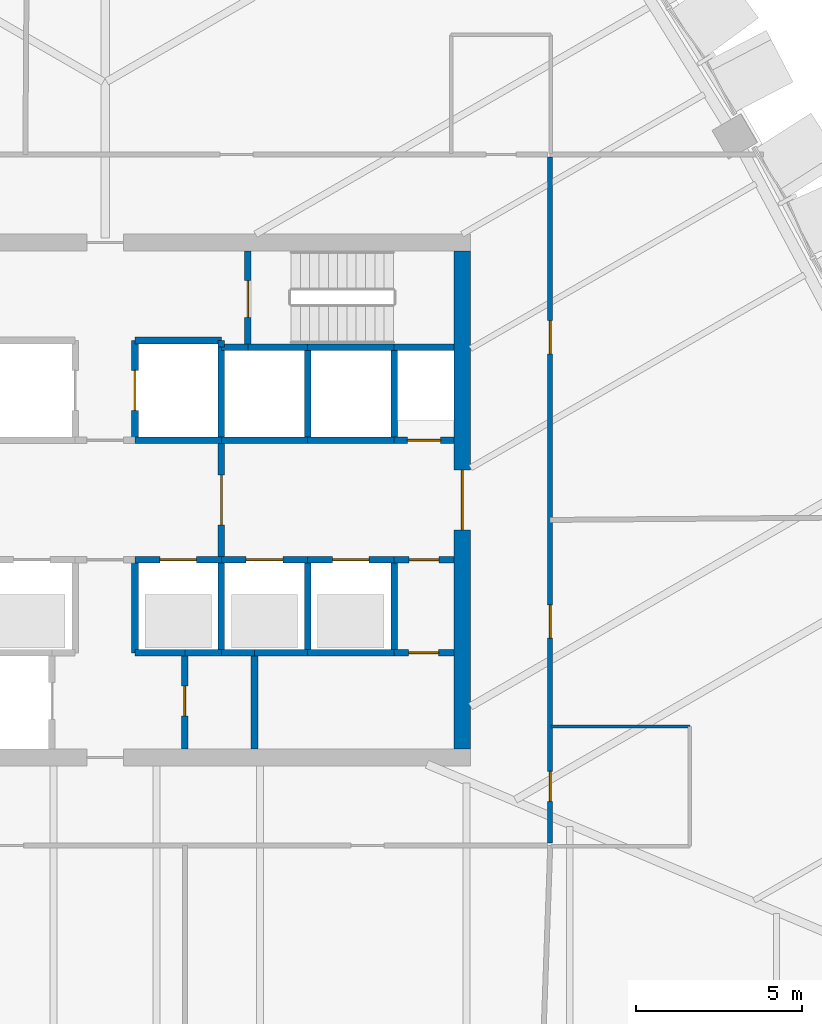
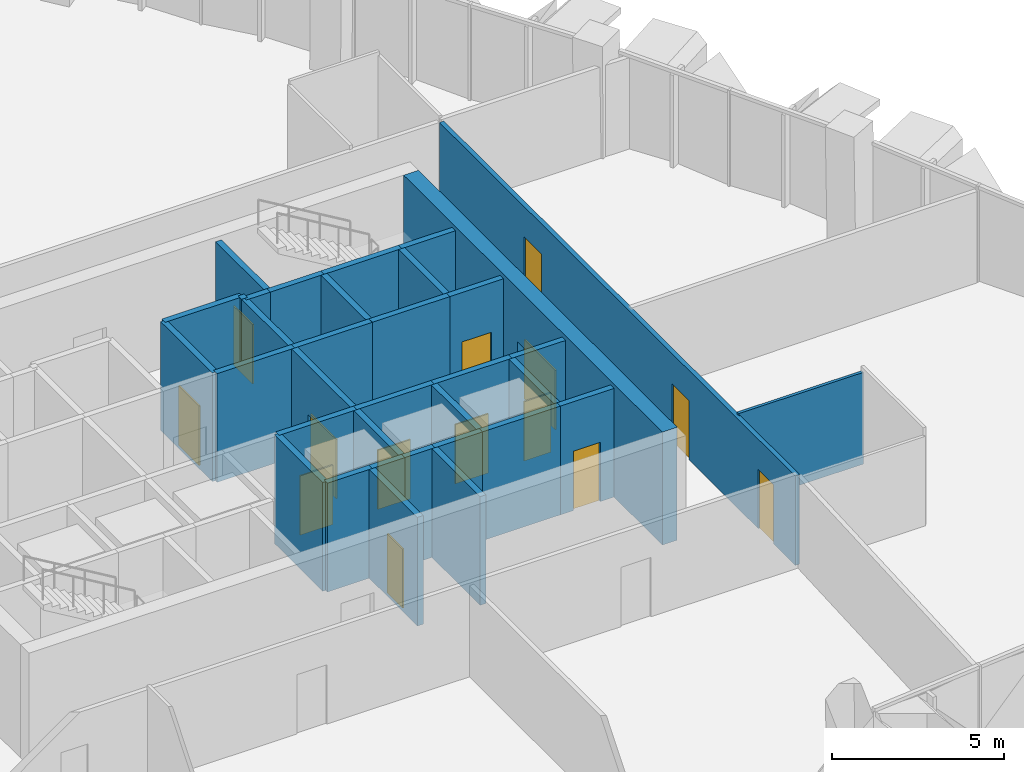
# One storey, part 13 of 18: 35 walls, 14 doors, 14 openings.
"""IFC4 building model written with IfcOpenShell, lengths in metres."""

from ifc_helpers import new_model, si_unit, direction, frame, frame_2d, origin, place, context, subcontext, project, spatial, rectangle, extrude, material, layer, layer_set, type_object, element, fill, save


model = new_model("IFC4")

# Units and contexts
model_context = context("Model", 3, precision=1e-05, world=origin(), true_north=direction((0.0, 1.0)))
body_context = subcontext(model_context, "Body", "Model", "MODEL_VIEW")
ifc_project = project(units=[si_unit("LENGTHUNIT", "METRE"), si_unit("AREAUNIT", "SQUARE_METRE"), si_unit("VOLUMEUNIT", "CUBIC_METRE"), si_unit("PLANEANGLEUNIT", "RADIAN"), si_unit("MASSUNIT", "GRAM", prefix="KILO")], contexts=[model_context])

# Site, building, storey
site_placement = place(None, origin())
site = spatial("IfcSite", under=ifc_project, at=site_placement, CompositionType="ELEMENT")
building_placement = place(site_placement, origin())
building = spatial("IfcBuilding", under=site, at=building_placement, Name="Sierra Prisma Convention Tower", CompositionType="ELEMENT")
storey_placement = place(building_placement, frame((0.0, 0.0, 133.800048828125)))
storey = spatial("IfcBuildingStorey", under=building, at=storey_placement, Name="L28", CompositionType="ELEMENT", Elevation=133.800048828125)

# Wall
ifc_material_1 = material(Name="Gypsum board partition", Category="gypsum")
ifc_layer_1 = layer(ifc_material_1, 0.10009765625)
ifc_layer_set_1 = layer_set([ifc_layer_1], Name="Bathroom partition 100")
wall_type_1 = type_object("IfcWallType", Name="Bathroom partition 100", PredefinedType="PARTITIONING", material=ifc_layer_set_1)
wall_1_placement = place(storey_placement, frame((13.429931640625, -6.820068359375, 0.0), z_axis=(0.0, 0.0, 1.0), x_axis=(1.0, 0.0, 0.0)))
element("IfcWall", 1, at=wall_1_placement, inside=storey, type_object=wall_type_1, Name="Partition L28 bath 10", PredefinedType="PARTITIONING", context=body_context, shape_type="SweptSolid", body=[
    extrude(rectangle(XDim=4.170166015625, YDim=0.10009765625, at=frame_2d((2.0849609375, 0.0))), origin(), (0.0, 0.0, 1.0), 3.2470703125),
])

# Wall, opening, door
ifc_material_2 = material(Name="Concrete C30/37", Category="concrete")
ifc_layer_2 = layer(ifc_material_2, 0.199951171875)
ifc_layer_set_2 = layer_set([ifc_layer_2], Name="Core wall RC 200 C30/37")
wall_type_2 = type_object("IfcWallType", Name="Core wall RC 200 C30/37", PredefinedType="SOLIDWALL", material=ifc_layer_set_2)
wall_2_placement = place(storey_placement, frame((0.89990234375, -1.800048828125, 0.0), z_axis=(0.0, 0.0, 1.0), x_axis=(1.0, 0.0, 0.0)))
wall_2 = element("IfcWall", 2, at=wall_2_placement, inside=storey, type_object=wall_type_2, Name="Core wall L28 35", PredefinedType="SOLIDWALL", context=body_context, shape_type="SweptSolid", body=[
    extrude(rectangle(XDim=2.60009765625, YDim=0.199951171875, at=frame_2d((1.300048828125, 0.0))), origin(), (0.0, 0.0, 1.0), 3.849853515625),
])
opening_1_placement = place(wall_2_placement, frame((0.75, 0.0, 0.0)))
opening_1 = element("IfcOpeningElement", 3, at=opening_1_placement, cuts=wall_2, Name="Opening L28-D004", PredefinedType="OPENING", context=body_context, shape_type="SweptSolid", body=[
    extrude(rectangle(XDim=1.10009765625, YDim=2.10009765625, at=frame_2d((0.550048828125, 1.050048828125))), frame((0.0, 0.10009765625, 0.0), z_axis=(0.0, -1.0, 0.0), x_axis=(1.0, 0.0, 0.0)), (0.0, 0.0, 1.0), 0.199951171875),
])
ifc_material_3 = material(Name="Steel fire door leaf", Category="steel")
door_type_1 = type_object("IfcDoorType", Name="Door 1100x2100 EI 90 sliding lift landing", OperationType="SLIDING_TO_LEFT", PredefinedType="DOOR", material=ifc_material_3)
door_1_placement = place(opening_1_placement, origin())
door_1 = element("IfcDoor", 4, at=door_1_placement, inside=storey, type_object=door_type_1, Name="Door L28 17", OperationType="SLIDING_TO_LEFT", OverallHeight=2.10009765625, OverallWidth=1.10009765625, PredefinedType="DOOR", context=body_context, shape_type="SweptSolid", body=[
    extrude(rectangle(XDim=1.10009765625, YDim=2.10009765625, at=frame_2d((0.550048828125, 1.050048828125))), frame((0.0, 0.02490234375, 0.0), z_axis=(0.0, -1.0, 0.0), x_axis=(1.0, 0.0, 0.0)), (0.0, 0.0, 1.0), 0.050048828125),
])
fill(opening_1, door_1)

# Walls
wall_3_placement = place(storey_placement, frame((0.89990234375, -1.800048828125, 0.0), z_axis=(0.0, 0.0, 1.0), x_axis=(0.0, -1.0, 0.0)))
element("IfcWall", 5, at=wall_3_placement, inside=storey, type_object=wall_type_2, Name="Core wall L28 36", PredefinedType="SOLIDWALL", context=body_context, shape_type="SweptSolid", body=[
    extrude(rectangle(XDim=2.800048828125, YDim=0.199951171875, at=frame_2d((1.39990234375, 0.0))), origin(), (0.0, 0.0, 1.0), 3.849853515625),
])
wall_4_placement = place(storey_placement, frame((0.89990234375, -4.60009765625, 0.0), z_axis=(0.0, 0.0, 1.0), x_axis=(1.0, 0.0, 0.0)))
element("IfcWall", 6, at=wall_4_placement, inside=storey, type_object=wall_type_2, Name="Core wall L28 37", PredefinedType="SOLIDWALL", context=body_context, shape_type="SweptSolid", body=[
    extrude(rectangle(XDim=1.5, YDim=0.199951171875, at=frame_2d((0.75, 0.0))), origin(), (0.0, 0.0, 1.0), 3.849853515625),
])
wall_5_placement = place(storey_placement, frame((3.5, 1.800048828125, 0.0), z_axis=(0.0, 0.0, 1.0), x_axis=(-1.0, 0.0, 0.0)))
element("IfcWall", 7, at=wall_5_placement, inside=storey, type_object=wall_type_2, Name="Core wall L28 38", PredefinedType="SOLIDWALL", context=body_context, shape_type="SweptSolid", body=[
    extrude(rectangle(XDim=2.60009765625, YDim=0.199951171875, at=frame_2d((1.300048828125, 0.0))), origin(), (0.0, 0.0, 1.0), 3.849853515625),
])
wall_6_placement = place(storey_placement, frame((3.5, 4.60009765625, 0.0), z_axis=(0.0, 0.0, 1.0), x_axis=(0.0, 1.0, 0.0)))
element("IfcWall", 8, at=wall_6_placement, inside=storey, type_object=wall_type_2, Name="Core wall L28 39", PredefinedType="SOLIDWALL", context=body_context, shape_type="SweptSolid", body=[
    extrude(rectangle(XDim=0.199951171875, YDim=0.199951171875, at=frame_2d((0.10009765625, 0.0))), origin(), (0.0, 0.0, 1.0), 3.849853515625),
])
wall_7_placement = place(storey_placement, frame((3.5, 4.800048828125, 0.0), z_axis=(0.0, 0.0, 1.0), x_axis=(-1.0, 0.0, 0.0)))
element("IfcWall", 9, at=wall_7_placement, inside=storey, type_object=wall_type_2, Name="Core wall L28 40", PredefinedType="SOLIDWALL", context=body_context, shape_type="SweptSolid", body=[
    extrude(rectangle(XDim=2.60009765625, YDim=0.199951171875, at=frame_2d((1.300048828125, 0.0))), origin(), (0.0, 0.0, 1.0), 3.849853515625),
])

# Wall, opening, door
wall_8_placement = place(storey_placement, frame((0.89990234375, 4.800048828125, 0.0), z_axis=(0.0, 0.0, 1.0), x_axis=(0.0, -1.0, 0.0)))
wall_8 = element("IfcWall", 10, at=wall_8_placement, inside=storey, type_object=wall_type_2, Name="Core wall L28 41", PredefinedType="SOLIDWALL", context=body_context, shape_type="SweptSolid", body=[
    extrude(rectangle(XDim=3.0, YDim=0.199951171875, at=frame_2d((1.5, 0.0))), origin(), (0.0, 0.0, 1.0), 3.849853515625),
])
opening_2_placement = place(wall_8_placement, frame((0.89990234375, 0.0, 0.0)))
opening_2 = element("IfcOpeningElement", 11, at=opening_2_placement, cuts=wall_8, Name="Opening L28-D008", PredefinedType="OPENING", context=body_context, shape_type="SweptSolid", body=[
    extrude(rectangle(XDim=1.199951171875, YDim=2.10009765625, at=frame_2d((0.60009765625, 1.050048828125))), frame((0.0, 0.10009765625, 0.0), z_axis=(0.0, -1.0, 0.0), x_axis=(1.0, 0.0, 0.0)), (0.0, 0.0, 1.0), 0.199951171875),
])
ifc_material_4 = material(Name="Steel fire door leaf", Category="steel")
door_type_2 = type_object("IfcDoorType", Name="Door 1200x2100 EI 90 sliding lift landing", OperationType="SLIDING_TO_LEFT", PredefinedType="DOOR", material=ifc_material_4)
door_2_placement = place(opening_2_placement, origin())
door_2 = element("IfcDoor", 12, at=door_2_placement, inside=storey, type_object=door_type_2, Name="Door L28 21", OperationType="SLIDING_TO_LEFT", OverallHeight=2.10009765625, OverallWidth=1.199951171875, PredefinedType="DOOR", context=body_context, shape_type="SweptSolid", body=[
    extrude(rectangle(XDim=1.199951171875, YDim=2.10009765625, at=frame_2d((0.60009765625, 1.050048828125))), frame((0.0, 0.02490234375, 0.0), z_axis=(0.0, -1.0, 0.0), x_axis=(1.0, 0.0, 0.0)), (0.0, 0.0, 1.0), 0.050048828125),
])
fill(opening_2, door_2)

wall_9_placement = place(storey_placement, frame((2.39990234375, -4.60009765625, 0.0), z_axis=(0.0, 0.0, 1.0), x_axis=(0.0, -1.0, 0.0)))
wall_9 = element("IfcWall", 13, at=wall_9_placement, inside=storey, type_object=wall_type_2, Name="Core wall L28 42", PredefinedType="SOLIDWALL", context=body_context, shape_type="SweptSolid", body=[
    extrude(rectangle(XDim=2.89990234375, YDim=0.199951171875, at=frame_2d((1.449951171875, 0.0))), origin(), (0.0, 0.0, 1.0), 3.849853515625),
])
opening_3_placement = place(wall_9_placement, frame((1.0, 0.0, 0.0)))
opening_3 = element("IfcOpeningElement", 14, at=opening_3_placement, cuts=wall_9, Name="Opening L28-D022", PredefinedType="OPENING", context=body_context, shape_type="SweptSolid", body=[
    extrude(rectangle(XDim=0.89990234375, YDim=2.10009765625, at=frame_2d((0.449951171875, 1.050048828125))), frame((0.0, 0.10009765625, 0.0), z_axis=(0.0, -1.0, 0.0), x_axis=(1.0, 0.0, 0.0)), (0.0, 0.0, 1.0), 0.199951171875),
])
ifc_material_5 = material(Name="Steel fire door leaf", Category="steel")
door_type_3 = type_object("IfcDoorType", Name="Door 900x2100 FD30S", OperationType="SINGLE_SWING_LEFT", PredefinedType="DOOR", material=ifc_material_5)
door_3_placement = place(opening_3_placement, origin())
door_3 = element("IfcDoor", 15, at=door_3_placement, inside=storey, type_object=door_type_3, Name="Door L28 35", OperationType="SINGLE_SWING_RIGHT", OverallHeight=2.10009765625, OverallWidth=0.89990234375, PredefinedType="DOOR", context=body_context, shape_type="SweptSolid", body=[
    extrude(rectangle(XDim=0.89990234375, YDim=2.10009765625, at=frame_2d((0.449951171875, 1.050048828125))), frame((0.0, 0.02490234375, 0.0), z_axis=(0.0, -1.0, 0.0), x_axis=(1.0, 0.0, 0.0)), (0.0, 0.0, 1.0), 0.050048828125),
])
fill(opening_3, door_3)

# Walls
wall_10_placement = place(storey_placement, frame((3.5, -4.60009765625, 0.0), z_axis=(0.0, 0.0, 1.0), x_axis=(-1.0, 0.0, 0.0)))
element("IfcWall", 16, at=wall_10_placement, inside=storey, type_object=wall_type_2, Name="Core wall L28 43", PredefinedType="SOLIDWALL", context=body_context, shape_type="SweptSolid", body=[
    extrude(rectangle(XDim=1.10009765625, YDim=0.199951171875, at=frame_2d((0.550048828125, 0.0))), origin(), (0.0, 0.0, 1.0), 3.849853515625),
])
wall_11_placement = place(storey_placement, frame((4.5, -4.60009765625, 0.0), z_axis=(0.0, 0.0, 1.0), x_axis=(-1.0, 0.0, 0.0)))
element("IfcWall", 17, at=wall_11_placement, inside=storey, type_object=wall_type_2, Name="Core wall L28 44", PredefinedType="SOLIDWALL", context=body_context, shape_type="SweptSolid", body=[
    extrude(rectangle(XDim=1.0, YDim=0.199951171875, at=frame_2d((0.5, 0.0))), origin(), (0.0, 0.0, 1.0), 3.849853515625),
])
wall_12_placement = place(storey_placement, frame((3.5, -4.60009765625, 0.0), z_axis=(0.0, 0.0, 1.0), x_axis=(0.0, 1.0, 0.0)))
element("IfcWall", 18, at=wall_12_placement, inside=storey, type_object=wall_type_2, Name="Core wall L28 45", PredefinedType="SOLIDWALL", context=body_context, shape_type="SweptSolid", body=[
    extrude(rectangle(XDim=2.800048828125, YDim=0.199951171875, at=frame_2d((1.39990234375, 0.0))), origin(), (0.0, 0.0, 1.0), 3.849853515625),
])

# Wall, opening, door
wall_13_placement = place(storey_placement, frame((3.5, -1.800048828125, 0.0), z_axis=(0.0, 0.0, 1.0), x_axis=(1.0, 0.0, 0.0)))
wall_13 = element("IfcWall", 19, at=wall_13_placement, inside=storey, type_object=wall_type_2, Name="Core wall L28 46", PredefinedType="SOLIDWALL", context=body_context, shape_type="SweptSolid", body=[
    extrude(rectangle(XDim=2.60009765625, YDim=0.199951171875, at=frame_2d((1.300048828125, 0.0))), origin(), (0.0, 0.0, 1.0), 3.849853515625),
])
opening_4_placement = place(wall_13_placement, frame((0.75, 0.0, 0.0)))
opening_4 = element("IfcOpeningElement", 20, at=opening_4_placement, cuts=wall_13, Name="Opening L28-D005", PredefinedType="OPENING", context=body_context, shape_type="SweptSolid", body=[
    extrude(rectangle(XDim=1.10009765625, YDim=2.10009765625, at=frame_2d((0.550048828125, 1.050048828125))), frame((0.0, 0.10009765625, 0.0), z_axis=(0.0, -1.0, 0.0), x_axis=(1.0, 0.0, 0.0)), (0.0, 0.0, 1.0), 0.199951171875),
])
door_4_placement = place(opening_4_placement, origin())
door_4 = element("IfcDoor", 21, at=door_4_placement, inside=storey, type_object=door_type_1, Name="Door L28 18", OperationType="SLIDING_TO_LEFT", OverallHeight=2.10009765625, OverallWidth=1.10009765625, PredefinedType="DOOR", context=body_context, shape_type="SweptSolid", body=[
    extrude(rectangle(XDim=1.10009765625, YDim=2.10009765625, at=frame_2d((0.550048828125, 1.050048828125))), frame((0.0, 0.02490234375, 0.0), z_axis=(0.0, -1.0, 0.0), x_axis=(1.0, 0.0, 0.0)), (0.0, 0.0, 1.0), 0.050048828125),
])
fill(opening_4, door_4)

wall_14_placement = place(storey_placement, frame((3.5, -1.800048828125, 0.0), z_axis=(0.0, 0.0, 1.0), x_axis=(0.0, 1.0, 0.0)))
wall_14 = element("IfcWall", 22, at=wall_14_placement, inside=storey, type_object=wall_type_2, Name="Core wall L28 47", PredefinedType="SOLIDWALL", context=body_context, shape_type="SweptSolid", body=[
    extrude(rectangle(XDim=3.60009765625, YDim=0.199951171875, at=frame_2d((1.800048828125, 0.0))), origin(), (0.0, 0.0, 1.0), 3.849853515625),
])
opening_5_placement = place(wall_14_placement, frame((1.050048828125, 0.0, 0.0)))
opening_5 = element("IfcOpeningElement", 23, at=opening_5_placement, cuts=wall_14, Name="Opening L28-D011", PredefinedType="OPENING", context=body_context, shape_type="SweptSolid", body=[
    extrude(rectangle(XDim=1.5, YDim=2.10009765625, at=frame_2d((0.75, 1.050048828125))), frame((0.0, 0.10009765625, 0.0), z_axis=(0.0, -1.0, 0.0), x_axis=(1.0, 0.0, 0.0)), (0.0, 0.0, 1.0), 0.199951171875),
])
ifc_material_6 = material(Name="Steel fire door leaf", Category="steel")
door_type_4 = type_object("IfcDoorType", Name="Door 1500x2100 FD30S", OperationType="DOUBLE_DOOR_SINGLE_SWING", PredefinedType="DOOR", material=ifc_material_6)
door_5_placement = place(opening_5_placement, origin())
door_5 = element("IfcDoor", 24, at=door_5_placement, inside=storey, type_object=door_type_4, Name="Door L28 24", OperationType="DOUBLE_DOOR_SINGLE_SWING", OverallHeight=2.10009765625, OverallWidth=1.5, PredefinedType="DOOR", context=body_context, shape_type="SweptSolid", body=[
    extrude(rectangle(XDim=1.5, YDim=2.10009765625, at=frame_2d((0.75, 1.050048828125))), frame((0.0, 0.02490234375, 0.0), z_axis=(0.0, -1.0, 0.0), x_axis=(1.0, 0.0, 0.0)), (0.0, 0.0, 1.0), 0.050048828125),
])
fill(opening_5, door_5)

# Walls
wall_15_placement = place(storey_placement, frame((6.10009765625, 1.800048828125, 0.0), z_axis=(0.0, 0.0, 1.0), x_axis=(-1.0, 0.0, 0.0)))
element("IfcWall", 25, at=wall_15_placement, inside=storey, type_object=wall_type_2, Name="Core wall L28 48", PredefinedType="SOLIDWALL", context=body_context, shape_type="SweptSolid", body=[
    extrude(rectangle(XDim=2.60009765625, YDim=0.199951171875, at=frame_2d((1.300048828125, 0.0))), origin(), (0.0, 0.0, 1.0), 3.849853515625),
])
wall_16_placement = place(storey_placement, frame((3.5, 1.800048828125, 0.0), z_axis=(0.0, 0.0, 1.0), x_axis=(0.0, 1.0, 0.0)))
element("IfcWall", 26, at=wall_16_placement, inside=storey, type_object=wall_type_2, Name="Core wall L28 49", PredefinedType="SOLIDWALL", context=body_context, shape_type="SweptSolid", body=[
    extrude(rectangle(XDim=2.800048828125, YDim=0.199951171875, at=frame_2d((1.39990234375, 0.0))), origin(), (0.0, 0.0, 1.0), 3.849853515625),
])
wall_17_placement = place(storey_placement, frame((4.300048828125, 4.60009765625, 0.0), z_axis=(0.0, 0.0, 1.0), x_axis=(-1.0, 0.0, 0.0)))
element("IfcWall", 27, at=wall_17_placement, inside=storey, type_object=wall_type_2, Name="Core wall L28 50", PredefinedType="SOLIDWALL", context=body_context, shape_type="SweptSolid", body=[
    extrude(rectangle(XDim=0.800048828125, YDim=0.199951171875, at=frame_2d((0.39990234375, 0.0))), origin(), (0.0, 0.0, 1.0), 3.849853515625),
])
wall_18_placement = place(storey_placement, frame((6.10009765625, 4.60009765625, 0.0), z_axis=(0.0, 0.0, 1.0), x_axis=(-1.0, 0.0, 0.0)))
element("IfcWall", 28, at=wall_18_placement, inside=storey, type_object=wall_type_2, Name="Core wall L28 51", PredefinedType="SOLIDWALL", context=body_context, shape_type="SweptSolid", body=[
    extrude(rectangle(XDim=1.800048828125, YDim=0.199951171875, at=frame_2d((0.89990234375, 0.0))), origin(), (0.0, 0.0, 1.0), 3.849853515625),
])

# Wall, opening, door
wall_19_placement = place(storey_placement, frame((4.300048828125, 7.5, 0.0), z_axis=(0.0, 0.0, 1.0), x_axis=(0.0, -1.0, 0.0)))
wall_19 = element("IfcWall", 29, at=wall_19_placement, inside=storey, type_object=wall_type_2, Name="Core wall L28 52", PredefinedType="SOLIDWALL", context=body_context, shape_type="SweptSolid", body=[
    extrude(rectangle(XDim=2.89990234375, YDim=0.199951171875, at=frame_2d((1.449951171875, 0.0))), origin(), (0.0, 0.0, 1.0), 3.849853515625),
])
opening_6_placement = place(wall_19_placement, frame((0.89990234375, 0.0, 0.0)))
opening_6 = element("IfcOpeningElement", 30, at=opening_6_placement, cuts=wall_19, Name="Opening L28-D019", PredefinedType="OPENING", context=body_context, shape_type="SweptSolid", body=[
    extrude(rectangle(XDim=1.10009765625, YDim=2.10009765625, at=frame_2d((0.550048828125, 1.050048828125))), frame((0.0, 0.10009765625, 0.0), z_axis=(0.0, -1.0, 0.0), x_axis=(1.0, 0.0, 0.0)), (0.0, 0.0, 1.0), 0.199951171875),
])
ifc_material_7 = material(Name="Steel fire door leaf", Category="steel")
door_type_5 = type_object("IfcDoorType", Name="Door 1100x2100 FD90S", OperationType="SINGLE_SWING_LEFT", PredefinedType="DOOR", material=ifc_material_7)
door_6_placement = place(opening_6_placement, origin())
door_6 = element("IfcDoor", 31, at=door_6_placement, inside=storey, type_object=door_type_5, Name="Door L28 32", OperationType="SINGLE_SWING_RIGHT", OverallHeight=2.10009765625, OverallWidth=1.10009765625, PredefinedType="DOOR", context=body_context, shape_type="SweptSolid", body=[
    extrude(rectangle(XDim=1.10009765625, YDim=2.10009765625, at=frame_2d((0.550048828125, 1.050048828125))), frame((0.0, 0.02490234375, 0.0), z_axis=(0.0, -1.0, 0.0), x_axis=(1.0, 0.0, 0.0)), (0.0, 0.0, 1.0), 0.050048828125),
])
fill(opening_6, door_6)

# Walls
wall_20_placement = place(storey_placement, frame((4.5, -4.60009765625, 0.0), z_axis=(0.0, 0.0, 1.0), x_axis=(0.0, -1.0, 0.0)))
element("IfcWall", 32, at=wall_20_placement, inside=storey, type_object=wall_type_2, Name="Core wall L28 53", PredefinedType="SOLIDWALL", context=body_context, shape_type="SweptSolid", body=[
    extrude(rectangle(XDim=2.89990234375, YDim=0.199951171875, at=frame_2d((1.449951171875, 0.0))), origin(), (0.0, 0.0, 1.0), 3.849853515625),
])
wall_21_placement = place(storey_placement, frame((6.10009765625, -4.60009765625, 0.0), z_axis=(0.0, 0.0, 1.0), x_axis=(-1.0, 0.0, 0.0)))
element("IfcWall", 33, at=wall_21_placement, inside=storey, type_object=wall_type_2, Name="Core wall L28 54", PredefinedType="SOLIDWALL", context=body_context, shape_type="SweptSolid", body=[
    extrude(rectangle(XDim=1.60009765625, YDim=0.199951171875, at=frame_2d((0.800048828125, 0.0))), origin(), (0.0, 0.0, 1.0), 3.849853515625),
])
wall_22_placement = place(storey_placement, frame((8.699951171875, -4.60009765625, 0.0), z_axis=(0.0, 0.0, 1.0), x_axis=(-1.0, 0.0, 0.0)))
element("IfcWall", 34, at=wall_22_placement, inside=storey, type_object=wall_type_2, Name="Core wall L28 55", PredefinedType="SOLIDWALL", context=body_context, shape_type="SweptSolid", body=[
    extrude(rectangle(XDim=2.599853515625, YDim=0.199951171875, at=frame_2d((1.2998046875, 0.0))), origin(), (0.0, 0.0, 1.0), 3.849853515625),
])
wall_23_placement = place(storey_placement, frame((6.10009765625, -4.60009765625, 0.0), z_axis=(0.0, 0.0, 1.0), x_axis=(0.0, 1.0, 0.0)))
element("IfcWall", 35, at=wall_23_placement, inside=storey, type_object=wall_type_2, Name="Core wall L28 56", PredefinedType="SOLIDWALL", context=body_context, shape_type="SweptSolid", body=[
    extrude(rectangle(XDim=2.800048828125, YDim=0.199951171875, at=frame_2d((1.39990234375, 0.0))), origin(), (0.0, 0.0, 1.0), 3.849853515625),
])

# Wall, opening, door
wall_24_placement = place(storey_placement, frame((6.10009765625, -1.800048828125, 0.0), z_axis=(0.0, 0.0, 1.0), x_axis=(1.0, 0.0, 0.0)))
wall_24 = element("IfcWall", 36, at=wall_24_placement, inside=storey, type_object=wall_type_2, Name="Core wall L28 57", PredefinedType="SOLIDWALL", context=body_context, shape_type="SweptSolid", body=[
    extrude(rectangle(XDim=2.599853515625, YDim=0.199951171875, at=frame_2d((1.2998046875, 0.0))), origin(), (0.0, 0.0, 1.0), 3.849853515625),
])
opening_7_placement = place(wall_24_placement, frame((0.75, 0.0, 0.0)))
opening_7 = element("IfcOpeningElement", 37, at=opening_7_placement, cuts=wall_24, Name="Opening L28-D006", PredefinedType="OPENING", context=body_context, shape_type="SweptSolid", body=[
    extrude(rectangle(XDim=1.10009765625, YDim=2.10009765625, at=frame_2d((0.550048828125, 1.050048828125))), frame((0.0, 0.10009765625, 0.0), z_axis=(0.0, -1.0, 0.0), x_axis=(1.0, 0.0, 0.0)), (0.0, 0.0, 1.0), 0.199951171875),
])
door_7_placement = place(opening_7_placement, origin())
door_7 = element("IfcDoor", 38, at=door_7_placement, inside=storey, type_object=door_type_1, Name="Door L28 19", OperationType="SLIDING_TO_LEFT", OverallHeight=2.10009765625, OverallWidth=1.10009765625, PredefinedType="DOOR", context=body_context, shape_type="SweptSolid", body=[
    extrude(rectangle(XDim=1.10009765625, YDim=2.10009765625, at=frame_2d((0.550048828125, 1.050048828125))), frame((0.0, 0.02490234375, 0.0), z_axis=(0.0, -1.0, 0.0), x_axis=(1.0, 0.0, 0.0)), (0.0, 0.0, 1.0), 0.050048828125),
])
fill(opening_7, door_7)

# Walls
wall_25_placement = place(storey_placement, frame((8.699951171875, 1.800048828125, 0.0), z_axis=(0.0, 0.0, 1.0), x_axis=(-1.0, 0.0, 0.0)))
element("IfcWall", 39, at=wall_25_placement, inside=storey, type_object=wall_type_2, Name="Core wall L28 58", PredefinedType="SOLIDWALL", context=body_context, shape_type="SweptSolid", body=[
    extrude(rectangle(XDim=2.599853515625, YDim=0.199951171875, at=frame_2d((1.2998046875, 0.0))), origin(), (0.0, 0.0, 1.0), 3.849853515625),
])
wall_26_placement = place(storey_placement, frame((6.10009765625, 1.800048828125, 0.0), z_axis=(0.0, 0.0, 1.0), x_axis=(0.0, 1.0, 0.0)))
element("IfcWall", 40, at=wall_26_placement, inside=storey, type_object=wall_type_2, Name="Core wall L28 59", PredefinedType="SOLIDWALL", context=body_context, shape_type="SweptSolid", body=[
    extrude(rectangle(XDim=2.800048828125, YDim=0.199951171875, at=frame_2d((1.39990234375, 0.0))), origin(), (0.0, 0.0, 1.0), 3.849853515625),
])
wall_27_placement = place(storey_placement, frame((8.699951171875, 4.60009765625, 0.0), z_axis=(0.0, 0.0, 1.0), x_axis=(-1.0, 0.0, 0.0)))
element("IfcWall", 41, at=wall_27_placement, inside=storey, type_object=wall_type_2, Name="Core wall L28 60", PredefinedType="SOLIDWALL", context=body_context, shape_type="SweptSolid", body=[
    extrude(rectangle(XDim=2.599853515625, YDim=0.199951171875, at=frame_2d((1.2998046875, 0.0))), origin(), (0.0, 0.0, 1.0), 3.849853515625),
])

# Wall, opening, door
wall_28_placement = place(storey_placement, frame((10.5, -4.60009765625, 0.0), z_axis=(0.0, 0.0, 1.0), x_axis=(-1.0, 0.0, 0.0)))
wall_28 = element("IfcWall", 42, at=wall_28_placement, inside=storey, type_object=wall_type_2, Name="Core wall L28 61", PredefinedType="SOLIDWALL", context=body_context, shape_type="SweptSolid", body=[
    extrude(rectangle(XDim=1.800048828125, YDim=0.199951171875, at=frame_2d((0.89990234375, 0.0))), origin(), (0.0, 0.0, 1.0), 3.849853515625),
])
opening_8_placement = place(wall_28_placement, frame((0.4599609375, 0.0, 0.0)))
opening_8 = element("IfcOpeningElement", 43, at=opening_8_placement, cuts=wall_28, Name="Opening L28-D020", PredefinedType="OPENING", context=body_context, shape_type="SweptSolid", body=[
    extrude(rectangle(XDim=0.89990234375, YDim=2.10009765625, at=frame_2d((0.449951171875, 1.050048828125))), frame((0.0, 0.10009765625, 0.0), z_axis=(0.0, -1.0, 0.0), x_axis=(1.0, 0.0, 0.0)), (0.0, 0.0, 1.0), 0.199951171875),
])
door_8_placement = place(opening_8_placement, origin())
door_8 = element("IfcDoor", 44, at=door_8_placement, inside=storey, type_object=door_type_3, Name="Door L28 33", OperationType="SINGLE_SWING_LEFT", OverallHeight=2.10009765625, OverallWidth=0.89990234375, PredefinedType="DOOR", context=body_context, shape_type="SweptSolid", body=[
    extrude(rectangle(XDim=0.89990234375, YDim=2.10009765625, at=frame_2d((0.449951171875, 1.050048828125))), frame((0.0, 0.02490234375, 0.0), z_axis=(0.0, -1.0, 0.0), x_axis=(1.0, 0.0, 0.0)), (0.0, 0.0, 1.0), 0.050048828125),
])
fill(opening_8, door_8)

# Wall
wall_29_placement = place(storey_placement, frame((8.699951171875, -1.800048828125, 0.0), z_axis=(0.0, 0.0, 1.0), x_axis=(0.0, -1.0, 0.0)))
element("IfcWall", 45, at=wall_29_placement, inside=storey, type_object=wall_type_2, Name="Core wall L28 62", PredefinedType="SOLIDWALL", context=body_context, shape_type="SweptSolid", body=[
    extrude(rectangle(XDim=2.800048828125, YDim=0.199951171875, at=frame_2d((1.39990234375, 0.0))), origin(), (0.0, 0.0, 1.0), 3.849853515625),
])

# Wall, opening, door
wall_30_placement = place(storey_placement, frame((8.699951171875, -1.800048828125, 0.0), z_axis=(0.0, 0.0, 1.0), x_axis=(1.0, 0.0, 0.0)))
wall_30 = element("IfcWall", 46, at=wall_30_placement, inside=storey, type_object=wall_type_2, Name="Core wall L28 63", PredefinedType="SOLIDWALL", context=body_context, shape_type="SweptSolid", body=[
    extrude(rectangle(XDim=1.800048828125, YDim=0.199951171875, at=frame_2d((0.89990234375, 0.0))), origin(), (0.0, 0.0, 1.0), 3.849853515625),
])
opening_9_placement = place(wall_30_placement, frame((0.449951171875, 0.0, 0.0)))
opening_9 = element("IfcOpeningElement", 47, at=opening_9_placement, cuts=wall_30, Name="Opening L28-D021", PredefinedType="OPENING", context=body_context, shape_type="SweptSolid", body=[
    extrude(rectangle(XDim=0.89990234375, YDim=2.10009765625, at=frame_2d((0.449951171875, 1.050048828125))), frame((0.0, 0.10009765625, 0.0), z_axis=(0.0, -1.0, 0.0), x_axis=(1.0, 0.0, 0.0)), (0.0, 0.0, 1.0), 0.199951171875),
])
door_9_placement = place(opening_9_placement, origin())
door_9 = element("IfcDoor", 48, at=door_9_placement, inside=storey, type_object=door_type_3, Name="Door L28 34", OperationType="SINGLE_SWING_RIGHT", OverallHeight=2.10009765625, OverallWidth=0.89990234375, PredefinedType="DOOR", context=body_context, shape_type="SweptSolid", body=[
    extrude(rectangle(XDim=0.89990234375, YDim=2.10009765625, at=frame_2d((0.449951171875, 1.050048828125))), frame((0.0, 0.02490234375, 0.0), z_axis=(0.0, -1.0, 0.0), x_axis=(1.0, 0.0, 0.0)), (0.0, 0.0, 1.0), 0.050048828125),
])
fill(opening_9, door_9)

wall_31_placement = place(storey_placement, frame((10.5, 1.800048828125, 0.0), z_axis=(0.0, 0.0, 1.0), x_axis=(-1.0, 0.0, 0.0)))
wall_31 = element("IfcWall", 49, at=wall_31_placement, inside=storey, type_object=wall_type_2, Name="Core wall L28 64", PredefinedType="SOLIDWALL", context=body_context, shape_type="SweptSolid", body=[
    extrude(rectangle(XDim=1.800048828125, YDim=0.199951171875, at=frame_2d((0.89990234375, 0.0))), origin(), (0.0, 0.0, 1.0), 3.849853515625),
])
opening_10_placement = place(wall_31_placement, frame((0.39990234375, 0.0, 0.0)))
opening_10 = element("IfcOpeningElement", 50, at=opening_10_placement, cuts=wall_31, Name="Opening L28-D016", PredefinedType="OPENING", context=body_context, shape_type="SweptSolid", body=[
    extrude(rectangle(XDim=1.0, YDim=2.10009765625, at=frame_2d((0.5, 1.050048828125))), frame((0.0, 0.10009765625, 0.0), z_axis=(0.0, -1.0, 0.0), x_axis=(1.0, 0.0, 0.0)), (0.0, 0.0, 1.0), 0.199951171875),
])
ifc_material_8 = material(Name="Steel fire door leaf", Category="steel")
door_type_6 = type_object("IfcDoorType", Name="Door 1000x2100 FD60S", OperationType="SINGLE_SWING_LEFT", PredefinedType="DOOR", material=ifc_material_8)
door_10_placement = place(opening_10_placement, origin())
door_10 = element("IfcDoor", 51, at=door_10_placement, inside=storey, type_object=door_type_6, Name="Door L28 29", OperationType="SINGLE_SWING_RIGHT", OverallHeight=2.10009765625, OverallWidth=1.0, PredefinedType="DOOR", context=body_context, shape_type="SweptSolid", body=[
    extrude(rectangle(XDim=1.0, YDim=2.10009765625, at=frame_2d((0.5, 1.050048828125))), frame((0.0, 0.02490234375, 0.0), z_axis=(0.0, -1.0, 0.0), x_axis=(1.0, 0.0, 0.0)), (0.0, 0.0, 1.0), 0.050048828125),
])
fill(opening_10, door_10)

# Walls
wall_32_placement = place(storey_placement, frame((8.699951171875, 4.60009765625, 0.0), z_axis=(0.0, 0.0, 1.0), x_axis=(0.0, -1.0, 0.0)))
element("IfcWall", 52, at=wall_32_placement, inside=storey, type_object=wall_type_2, Name="Core wall L28 65", PredefinedType="SOLIDWALL", context=body_context, shape_type="SweptSolid", body=[
    extrude(rectangle(XDim=2.800048828125, YDim=0.199951171875, at=frame_2d((1.39990234375, 0.0))), origin(), (0.0, 0.0, 1.0), 3.849853515625),
])
wall_33_placement = place(storey_placement, frame((10.5, 4.60009765625, 0.0), z_axis=(0.0, 0.0, 1.0), x_axis=(-1.0, 0.0, 0.0)))
element("IfcWall", 53, at=wall_33_placement, inside=storey, type_object=wall_type_2, Name="Core wall L28 66", PredefinedType="SOLIDWALL", context=body_context, shape_type="SweptSolid", body=[
    extrude(rectangle(XDim=1.800048828125, YDim=0.199951171875, at=frame_2d((0.89990234375, 0.0))), origin(), (0.0, 0.0, 1.0), 3.849853515625),
])

# Wall, opening, door
ifc_material_9 = material(Name="Concrete C60/75", Category="concrete")
ifc_layer_3 = layer(ifc_material_9, 0.5)
ifc_layer_set_3 = layer_set([ifc_layer_3], Name="Core wall RC 500 C60/75")
wall_type_3 = type_object("IfcWallType", Name="Core wall RC 500 C60/75", PredefinedType="SHEAR", material=ifc_layer_set_3)
wall_34_placement = place(storey_placement, frame((10.75, -7.5, 0.0), z_axis=(0.0, 0.0, 1.0), x_axis=(0.0, 1.0, 0.0)))
wall_34 = element("IfcWall", 54, at=wall_34_placement, inside=storey, type_object=wall_type_3, Name="Core wall E L28", PredefinedType="SHEAR", context=body_context, shape_type="SweptSolid", body=[
    extrude(rectangle(XDim=15.0, YDim=0.5, at=frame_2d((7.5, 0.0))), origin(), (0.0, 0.0, 1.0), 4.0),
])
opening_11_placement = place(wall_34_placement, frame((6.60009765625, 0.0, 0.0)))
opening_11 = element("IfcOpeningElement", 55, at=opening_11_placement, cuts=wall_34, Name="Opening L28-D036", PredefinedType="OPENING", context=body_context, shape_type="SweptSolid", body=[
    extrude(rectangle(XDim=1.800048828125, YDim=2.10009765625, at=frame_2d((0.89990234375, 1.050048828125))), frame((0.0, 0.25, 0.0), z_axis=(0.0, -1.0, 0.0), x_axis=(1.0, 0.0, 0.0)), (0.0, 0.0, 1.0), 0.5),
])
ifc_material_10 = material(Name="Steel fire door leaf", Category="steel")
door_type_7 = type_object("IfcDoorType", Name="Door 1800x2100 FD60S", OperationType="DOUBLE_DOOR_SINGLE_SWING", PredefinedType="DOOR", material=ifc_material_10)
door_11_placement = place(opening_11_placement, origin())
door_11 = element("IfcDoor", 56, at=door_11_placement, inside=storey, type_object=door_type_7, Name="Door L28 37", OperationType="DOUBLE_DOOR_SINGLE_SWING", OverallHeight=2.10009765625, OverallWidth=1.800048828125, PredefinedType="DOOR", context=body_context, shape_type="SweptSolid", body=[
    extrude(rectangle(XDim=1.800048828125, YDim=2.10009765625, at=frame_2d((0.89990234375, 1.050048828125))), frame((0.0, 0.02490234375, 0.0), z_axis=(0.0, -1.0, 0.0), x_axis=(1.0, 0.0, 0.0)), (0.0, 0.0, 1.0), 0.050048828125),
])
fill(opening_11, door_11)

# Wall, openings, doors
ifc_material_11 = material(Name="Gypsum board partition", Category="gypsum")
ifc_layer_4 = layer(ifc_material_11, 0.14990234375)
ifc_layer_set_4 = layer_set([ifc_layer_4], Name="Corridor wall 150 gypsum EI 60")
wall_type_4 = type_object("IfcWallType", Name="Corridor wall 150 gypsum EI 60", PredefinedType="PARTITIONING", material=ifc_layer_set_4)
wall_35_placement = place(storey_placement, frame((13.39990234375, -10.320068359375, 0.0), z_axis=(0.0, 0.0, 1.0), x_axis=(0.0, 1.0, 0.0)))
wall_35 = element("IfcWall", 57, at=wall_35_placement, inside=storey, type_object=wall_type_4, Name="Partition L28 corr 4", PredefinedType="PARTITIONING", context=body_context, shape_type="SweptSolid", body=[
    extrude(rectangle(XDim=20.64013671875, YDim=0.14990234375, at=frame_2d((10.320068359375, 0.0))), origin(), (0.0, 0.0, 1.0), 3.166015625),
])
opening_12_placement = place(wall_35_placement, frame((14.719970703125, 0.0, 0.0)))
opening_12 = element("IfcOpeningElement", 58, at=opening_12_placement, cuts=wall_35, Name="Opening L28-D023", PredefinedType="OPENING", context=body_context, shape_type="SweptSolid", body=[
    extrude(rectangle(XDim=1.0, YDim=2.10009765625, at=frame_2d((0.5, 1.050048828125))), frame((0.0, 0.074951171875, 0.0), z_axis=(0.0, -1.0, 0.0), x_axis=(1.0, 0.0, 0.0)), (0.0, 0.0, 1.0), 0.14990234375),
])
opening_13_placement = place(wall_35_placement, frame((1.25, 0.0, 0.0)))
opening_13 = element("IfcOpeningElement", 59, at=opening_13_placement, cuts=wall_35, Name="Opening L28-D034", PredefinedType="OPENING", context=body_context, shape_type="SweptSolid", body=[
    extrude(rectangle(XDim=0.89990234375, YDim=2.10009765625, at=frame_2d((0.449951171875, 1.050048828125))), frame((0.0, 0.074951171875, 0.0), z_axis=(0.0, -1.0, 0.0), x_axis=(1.0, 0.0, 0.0)), (0.0, 0.0, 1.0), 0.14990234375),
])
opening_14_placement = place(wall_35_placement, frame((6.159912109375, 0.0, 0.0)))
opening_14 = element("IfcOpeningElement", 60, at=opening_14_placement, cuts=wall_35, Name="Opening L28-D035", PredefinedType="OPENING", context=body_context, shape_type="SweptSolid", body=[
    extrude(rectangle(XDim=1.0, YDim=2.10009765625, at=frame_2d((0.5, 1.050048828125))), frame((0.0, 0.074951171875, 0.0), z_axis=(0.0, -1.0, 0.0), x_axis=(1.0, 0.0, 0.0)), (0.0, 0.0, 1.0), 0.14990234375),
])
ifc_material_12 = material(Name="Steel fire door leaf", Category="steel")
door_type_8 = type_object("IfcDoorType", Name="Door 1000x2100 FD30S", OperationType="SINGLE_SWING_LEFT", PredefinedType="DOOR", material=ifc_material_12)
door_12_placement = place(opening_12_placement, origin())
door_12 = element("IfcDoor", 61, at=door_12_placement, inside=storey, type_object=door_type_8, Name="Door L28 1", OperationType="SINGLE_SWING_LEFT", OverallHeight=2.10009765625, OverallWidth=1.0, PredefinedType="DOOR", context=body_context, shape_type="SweptSolid", body=[
    extrude(rectangle(XDim=1.0, YDim=2.10009765625, at=frame_2d((0.5, 1.050048828125))), frame((0.0, 0.02490234375, 0.0), z_axis=(0.0, -1.0, 0.0), x_axis=(1.0, 0.0, 0.0)), (0.0, 0.0, 1.0), 0.050048828125),
])
fill(opening_12, door_12)
door_13_placement = place(opening_14_placement, origin())
door_13 = element("IfcDoor", 62, at=door_13_placement, inside=storey, type_object=door_type_8, Name="Door L28 13", OperationType="SINGLE_SWING_RIGHT", OverallHeight=2.10009765625, OverallWidth=1.0, PredefinedType="DOOR", context=body_context, shape_type="SweptSolid", body=[
    extrude(rectangle(XDim=1.0, YDim=2.10009765625, at=frame_2d((0.5, 1.050048828125))), frame((0.0, 0.02490234375, 0.0), z_axis=(0.0, -1.0, 0.0), x_axis=(1.0, 0.0, 0.0)), (0.0, 0.0, 1.0), 0.050048828125),
])
fill(opening_14, door_13)
door_14_placement = place(opening_13_placement, origin())
door_14 = element("IfcDoor", 63, at=door_14_placement, inside=storey, type_object=door_type_3, Name="Door L28 12", OperationType="SINGLE_SWING_RIGHT", OverallHeight=2.10009765625, OverallWidth=0.89990234375, PredefinedType="DOOR", context=body_context, shape_type="SweptSolid", body=[
    extrude(rectangle(XDim=0.89990234375, YDim=2.10009765625, at=frame_2d((0.449951171875, 1.050048828125))), frame((0.0, 0.02490234375, 0.0), z_axis=(0.0, -1.0, 0.0), x_axis=(1.0, 0.0, 0.0)), (0.0, 0.0, 1.0), 0.050048828125),
])
fill(opening_13, door_14)

save(model, "model.ifc")
